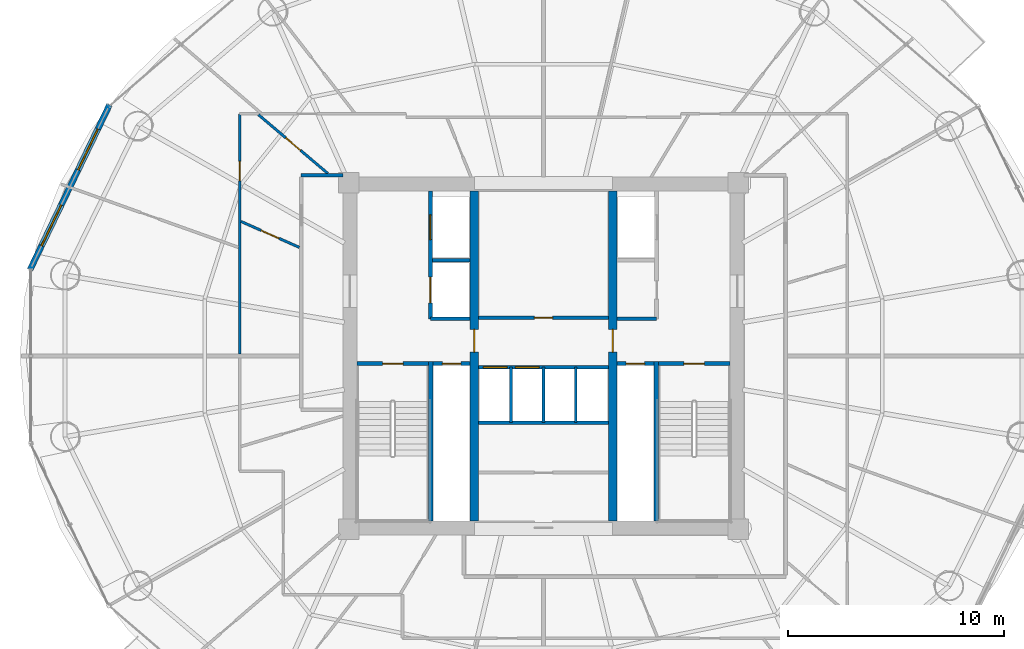
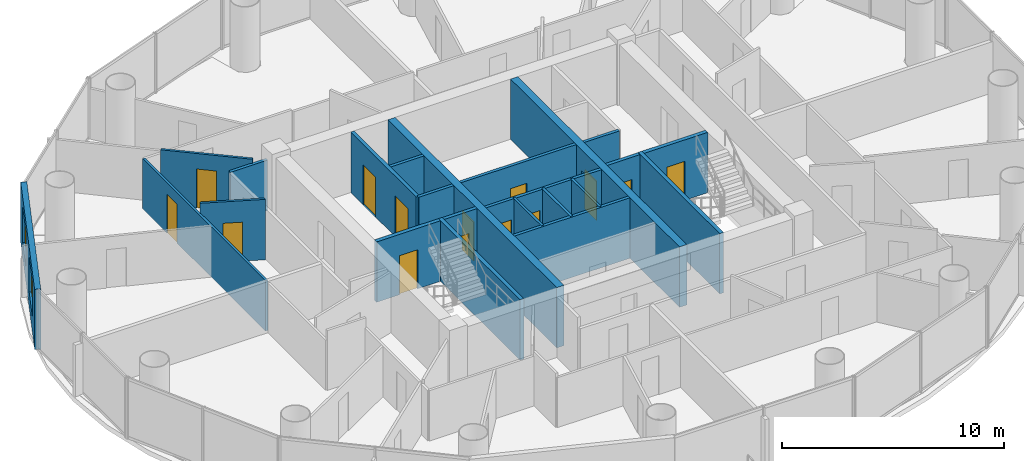
# One storey, part 22 of 27: 23 walls, 14 doors, 2 windows, 16 openings.
"""IFC4 building model written with IfcOpenShell, lengths in metres."""

from ifc_helpers import new_model, si_unit, direction, frame, frame_2d, origin, place, context, subcontext, project, spatial, rectangle, extrude, source, transform, mapped, material, layer, layer_set, type_object, element, fill, save


model = new_model("IFC4")

# Units and contexts
model_context = context("Model", 3, precision=1e-05, world=origin(), true_north=direction((-0.2419218956, 0.970295726276)))
body_context = subcontext(model_context, "Body", "Model", "MODEL_VIEW")
ifc_project = project(units=[si_unit("LENGTHUNIT", "METRE"), si_unit("AREAUNIT", "SQUARE_METRE"), si_unit("VOLUMEUNIT", "CUBIC_METRE"), si_unit("PLANEANGLEUNIT", "RADIAN"), si_unit("MASSUNIT", "GRAM", prefix="KILO")], contexts=[model_context])

# Site, building, storey
site_placement = place(None, origin())
site = spatial("IfcSite", under=ifc_project, at=site_placement, CompositionType="ELEMENT")
building_placement = place(site_placement, origin())
building = spatial("IfcBuilding", under=site, at=building_placement, Name="Cobrevalo Terracotta Tower", CompositionType="ELEMENT")
storey_placement = place(building_placement, frame((0.0, 0.0, 157.0)))
storey = spatial("IfcBuildingStorey", under=building, at=storey_placement, Name="L41", CompositionType="ELEMENT", Elevation=157.0)

# Walls
ifc_material_1 = material(Name="Gypsum board on steel stud", Category="steel")
ifc_layer_1 = layer(ifc_material_1, 0.159912109375)
ifc_layer_set_1 = layer_set([ifc_layer_1], Name="Gypsum board on steel stud")
wall_type_1 = type_object("IfcWallType", Name="Fire-rated corridor acoustic partition wall 160 mm", PredefinedType="PARTITIONING", material=ifc_layer_set_1)
wall_1_placement = place(storey_placement, frame((32.860107421875, 31.219970703125, 0.0), z_axis=(0.0, 0.0, 1.0), x_axis=(1.0, 0.0, 0.0)))
element("IfcWall", 1, at=wall_1_placement, inside=storey, type_object=wall_type_1, Name="L41 interior partition IW-L41-FF1-M", PredefinedType="PARTITIONING", context=body_context, shape_type="SweptSolid", body=[
    extrude(rectangle(XDim=1.75, YDim=0.159912109375, at=frame_2d((0.875, 0.0))), origin(), (0.0, 0.0, 1.0), 3.330078125),
])
for number, where, z_axis, x_axis, name in (
    (2, (32.77001953125, 28.52001953125, 0.0), (0.0, 0.0, 1.0), (1.0, 0.0, 0.0), "L41 interior partition IW-L41-FF1-S"),
    (3, (41.389892578125, 28.52001953125, 0.0), (0.0, 0.0, 1.0), (1.0, 0.0, 0.0), "L41 interior partition IW-L41-FF2-S"),
):
    element("IfcWall", number, at=place(storey_placement, frame(where, z_axis=z_axis, x_axis=x_axis)), inside=storey, type_object=wall_type_1, Name=name, PredefinedType="PARTITIONING", context=body_context, shape_type="SweptSolid", body=[
        extrude(rectangle(XDim=1.840087890625, YDim=0.159912109375, at=frame_2d((0.919921875, 0.0))), origin(), (0.0, 0.0, 1.0), 3.330078125),
    ])

# Wall, opening, door
wall_2_placement = place(storey_placement, frame((34.989990234375, 28.56005859375, 0.0), z_axis=(0.0, 0.0, 1.0), x_axis=(1.0, 0.0, 0.0)))
wall_2 = element("IfcWall", 4, at=wall_2_placement, inside=storey, type_object=wall_type_1, Name="L41 interior partition IW-L41-LB-S", PredefinedType="PARTITIONING", context=body_context, shape_type="SweptSolid", body=[
    extrude(rectangle(XDim=6.02001953125, YDim=0.159912109375, at=frame_2d((3.010009765625, 0.0))), origin(), (0.0, 0.0, 1.0), 3.330078125),
])
opening_1_placement = place(wall_2_placement, frame((2.5849609375, 0.0, 0.0)))
opening_1 = element("IfcOpeningElement", 5, at=opening_1_placement, cuts=wall_2, Name="Opening ID-22", PredefinedType="OPENING", context=body_context, shape_type="SweptSolid", body=[
    extrude(rectangle(XDim=0.85009765625, YDim=2.10009765625, at=frame_2d((0.425048828125, 1.050048828125))), frame((0.0, 0.08984375, 0.0), z_axis=(0.0, -1.0, 0.0), x_axis=(1.0, 0.0, 0.0)), (0.0, 0.0, 1.0), 0.179931640625),
])
ifc_material_2 = material(Name="Powder-coated steel", Category="steel")
door_type_1 = type_object("IfcDoorType", Name="Riser shaft & meter closet fire access door 850x2100 EI 60", OperationType="NOTDEFINED", PredefinedType="DOOR", material=ifc_material_2)
shared_shape_1 = source(origin(), body_context, "Body", "SweptSolid", [
    extrude(rectangle(XDim=0.85009765625, YDim=2.10009765625, at=frame_2d((0.425048828125, 1.050048828125))), frame((0.0, 0.02490234375, 0.0), z_axis=(0.0, -1.0, 0.0), x_axis=(1.0, 0.0, 0.0)), (0.0, 0.0, 1.0), 0.050048828125),
])
door_1_placement = place(opening_1_placement, origin())
door_1 = element("IfcDoor", 6, at=door_1_placement, inside=storey, type_object=door_type_1, Name="L41 core service door Floor Electrical Switchroom", OperationType="SINGLE_SWING_LEFT", OverallHeight=2.10009765625, OverallWidth=0.85009765625, PredefinedType="DOOR", context=body_context, shape_type="MappedRepresentation", body=[
    mapped(shared_shape_1, transform((0.0, 0.0, 0.0), scale=1.0)),
])
fill(opening_1, door_1)

# Wall, openings, doors
wall_3_placement = place(storey_placement, frame((34.989990234375, 26.280029296875, 0.0), z_axis=(0.0, 0.0, 1.0), x_axis=(1.0, 0.0, 0.0)))
wall_3 = element("IfcWall", 7, at=wall_3_placement, inside=storey, type_object=wall_type_1, Name="L41 interior partition IW-L41-MB-N", PredefinedType="PARTITIONING", context=body_context, shape_type="SweptSolid", body=[
    extrude(rectangle(XDim=6.02001953125, YDim=0.159912109375, at=frame_2d((3.010009765625, 0.0))), origin(), (0.0, 0.0, 1.0), 3.330078125),
])
opening_2_placement = place(wall_3_placement, frame((0.22509765625, 0.0, 0.0)))
opening_2 = element("IfcOpeningElement", 8, at=opening_2_placement, cuts=wall_3, Name="Opening LD-01", PredefinedType="OPENING", context=body_context, shape_type="SweptSolid", body=[
    extrude(rectangle(XDim=1.10009765625, YDim=2.199951171875, at=frame_2d((0.550048828125, 1.10009765625))), frame((0.0, 0.08984375, 0.0), z_axis=(0.0, -1.0, 0.0), x_axis=(1.0, 0.0, 0.0)), (0.0, 0.0, 1.0), 0.179931640625),
])
opening_3_placement = place(wall_3_placement, frame((1.705078125, 0.0, 0.0)))
opening_3 = element("IfcOpeningElement", 9, at=opening_3_placement, cuts=wall_3, Name="Opening LD-01", PredefinedType="OPENING", context=body_context, shape_type="SweptSolid", body=[
    extrude(rectangle(XDim=1.10009765625, YDim=2.199951171875, at=frame_2d((0.550048828125, 1.10009765625))), frame((0.0, 0.08984375, 0.0), z_axis=(0.0, -1.0, 0.0), x_axis=(1.0, 0.0, 0.0)), (0.0, 0.0, 1.0), 0.179931640625),
])
ifc_material_3 = material(Name="Brushed stainless steel", Category="steel")
door_type_2 = type_object("IfcDoorType", Name="Passenger lift landing bi-parting sliding door 1100x2200 EI 90", OperationType="DOUBLE_DOOR_SLIDING", PredefinedType="DOOR", material=ifc_material_3)
shared_shape_2 = source(origin(), body_context, "Body", "SweptSolid", [
    extrude(rectangle(XDim=1.10009765625, YDim=2.199951171875, at=frame_2d((0.550048828125, 1.10009765625))), frame((0.0, 0.02490234375, 0.0), z_axis=(0.0, -1.0, 0.0), x_axis=(1.0, 0.0, 0.0)), (0.0, 0.0, 1.0), 0.050048828125),
])
door_2_placement = place(opening_2_placement, origin())
door_2 = element("IfcDoor", 10, at=door_2_placement, inside=storey, type_object=door_type_2, Name="L41 lift landing door PL-M1", OperationType="DOUBLE_DOOR_SLIDING", OverallHeight=2.199951171875, OverallWidth=1.10009765625, PredefinedType="DOOR", context=body_context, shape_type="MappedRepresentation", body=[
    mapped(shared_shape_2, transform((0.0, 0.0, 0.0), scale=1.0)),
])
fill(opening_2, door_2)
door_3_placement = place(opening_3_placement, origin())
door_3 = element("IfcDoor", 11, at=door_3_placement, inside=storey, type_object=door_type_2, Name="L41 lift landing door PL-M2", OperationType="DOUBLE_DOOR_SLIDING", OverallHeight=2.199951171875, OverallWidth=1.10009765625, PredefinedType="DOOR", context=body_context, shape_type="MappedRepresentation", body=[
    mapped(shared_shape_2, transform((0.0, 0.0, 0.0), scale=1.0)),
])
fill(opening_3, door_3)

# Walls
wall_4_placement = place(storey_placement, frame((34.989990234375, 23.719970703125, 0.0), z_axis=(0.0, 0.0, 1.0), x_axis=(1.0, 0.0, 0.0)))
element("IfcWall", 12, at=wall_4_placement, inside=storey, type_object=wall_type_1, Name="L41 interior partition IW-L41-MB-S", PredefinedType="PARTITIONING", context=body_context, shape_type="SweptSolid", body=[
    extrude(rectangle(XDim=6.02001953125, YDim=0.159912109375, at=frame_2d((3.010009765625, 0.0))), origin(), (0.0, 0.0, 1.0), 3.330078125),
])
wall_5_placement = place(storey_placement, frame((26.794921875, 35.155029296875, 0.0), z_axis=(0.0, 0.0, 1.0), x_axis=(1.0, 0.0, 0.0)))
element("IfcWall", 13, at=wall_5_placement, inside=storey, type_object=wall_type_1, Name="L41 interior partition IW-L41-COR-WN-CAP", PredefinedType="PARTITIONING", context=body_context, shape_type="SweptSolid", body=[
    extrude(rectangle(XDim=1.93017578125, YDim=0.159912109375, at=frame_2d((0.965087890625, 0.0))), origin(), (0.0, 0.0, 1.0), 2.77587890625),
])

# Wall, opening, door
ifc_layer_2 = layer(ifc_material_1, 0.179931640625)
ifc_layer_set_2 = layer_set([ifc_layer_2], Name="Gypsum board on steel stud")
wall_type_2 = type_object("IfcWallType", Name="Fire-rated shaft & lobby acoustic partition wall 180 mm", PredefinedType="PARTITIONING", material=ifc_layer_set_2)
wall_6_placement = place(storey_placement, frame((32.89990234375, 26.449951171875, 0.0), z_axis=(0.0, 0.0, 1.0), x_axis=(1.0, 0.0, 0.0)))
wall_6 = element("IfcWall", 14, at=wall_6_placement, inside=storey, type_object=wall_type_2, Name="L41 interior partition IW-L41-RSW-N", PredefinedType="PARTITIONING", context=body_context, shape_type="SweptSolid", body=[
    extrude(rectangle(XDim=1.710205078125, YDim=0.179931640625, at=frame_2d((0.85498046875, 0.0))), origin(), (0.0, 0.0, 1.0), 3.330078125),
])
opening_4_placement = place(wall_6_placement, frame((0.429931640625, 0.0, 0.0)))
opening_4 = element("IfcOpeningElement", 15, at=opening_4_placement, cuts=wall_6, Name="Opening ID-22", PredefinedType="OPENING", context=body_context, shape_type="SweptSolid", body=[
    extrude(rectangle(XDim=0.85009765625, YDim=2.10009765625, at=frame_2d((0.425048828125, 1.050048828125))), frame((0.0, 0.10009765625, 0.0), z_axis=(0.0, -1.0, 0.0), x_axis=(1.0, 0.0, 0.0)), (0.0, 0.0, 1.0), 0.199951171875),
])
door_4_placement = place(opening_4_placement, origin())
door_4 = element("IfcDoor", 16, at=door_4_placement, inside=storey, type_object=door_type_1, Name="L41 riser access door RSW", OperationType="SINGLE_SWING_LEFT", OverallHeight=2.10009765625, OverallWidth=0.85009765625, PredefinedType="DOOR", context=body_context, shape_type="MappedRepresentation", body=[
    mapped(shared_shape_1, transform((0.0, 0.0, 0.0), scale=1.0)),
])
fill(opening_4, door_4)

wall_7_placement = place(storey_placement, frame((41.389892578125, 26.449951171875, 0.0), z_axis=(0.0, 0.0, 1.0), x_axis=(1.0, 0.0, 0.0)))
wall_7 = element("IfcWall", 17, at=wall_7_placement, inside=storey, type_object=wall_type_2, Name="L41 interior partition IW-L41-RSE-N", PredefinedType="PARTITIONING", context=body_context, shape_type="SweptSolid", body=[
    extrude(rectangle(XDim=1.710205078125, YDim=0.179931640625, at=frame_2d((0.85498046875, 0.0))), origin(), (0.0, 0.0, 1.0), 3.330078125),
])
opening_5_placement = place(wall_7_placement, frame((0.429931640625, 0.0, 0.0)))
opening_5 = element("IfcOpeningElement", 18, at=opening_5_placement, cuts=wall_7, Name="Opening ID-22", PredefinedType="OPENING", context=body_context, shape_type="SweptSolid", body=[
    extrude(rectangle(XDim=0.85009765625, YDim=2.10009765625, at=frame_2d((0.425048828125, 1.050048828125))), frame((0.0, 0.10009765625, 0.0), z_axis=(0.0, -1.0, 0.0), x_axis=(1.0, 0.0, 0.0)), (0.0, 0.0, 1.0), 0.199951171875),
])
door_5_placement = place(opening_5_placement, origin())
door_5 = element("IfcDoor", 19, at=door_5_placement, inside=storey, type_object=door_type_1, Name="L41 riser access door RSE", OperationType="SINGLE_SWING_RIGHT", OverallHeight=2.10009765625, OverallWidth=0.85009765625, PredefinedType="DOOR", context=body_context, shape_type="MappedRepresentation", body=[
    mapped(shared_shape_1, transform((0.0, 0.0, 0.0), scale=1.0)),
])
fill(opening_5, door_5)

# Wall, openings, doors
wall_8_placement = place(storey_placement, frame((32.77001953125, 28.52001953125, 0.0), z_axis=(0.0, 0.0, 1.0), x_axis=(0.0, 1.0, 0.0)))
wall_8 = element("IfcWall", 20, at=wall_8_placement, inside=storey, type_object=wall_type_2, Name="L41 interior partition IW-L41-FF1-W", PredefinedType="PARTITIONING", context=body_context, shape_type="SweptSolid", body=[
    extrude(rectangle(XDim=5.905029296875, YDim=0.179931640625, at=frame_2d((2.95263671875, 0.0))), origin(), (0.0, 0.0, 1.0), 3.330078125),
])
opening_6_placement = place(wall_8_placement, frame((3.655029296875, 0.0, 0.0)))
opening_6 = element("IfcOpeningElement", 21, at=opening_6_placement, cuts=wall_8, Name="Opening LD-02", PredefinedType="OPENING", context=body_context, shape_type="SweptSolid", body=[
    extrude(rectangle(XDim=1.14990234375, YDim=2.199951171875, at=frame_2d((0.574951171875, 1.10009765625))), frame((0.0, 0.10009765625, 0.0), z_axis=(0.0, -1.0, 0.0), x_axis=(1.0, 0.0, 0.0)), (0.0, 0.0, 1.0), 0.199951171875),
])
opening_7_placement = place(wall_8_placement, frame((0.72998046875, 0.0, 0.0)))
opening_7 = element("IfcOpeningElement", 22, at=opening_7_placement, cuts=wall_8, Name="Opening LD-03", PredefinedType="OPENING", context=body_context, shape_type="SweptSolid", body=[
    extrude(rectangle(XDim=1.199951171875, YDim=2.25, at=frame_2d((0.60009765625, 1.125))), frame((0.0, 0.10009765625, 0.0), z_axis=(0.0, -1.0, 0.0), x_axis=(1.0, 0.0, 0.0)), (0.0, 0.0, 1.0), 0.199951171875),
])
door_type_3 = type_object("IfcDoorType", Name="Firefighting lift landing bi-parting sliding door 1150x2200 EI 120", OperationType="DOUBLE_DOOR_SLIDING", PredefinedType="DOOR", material=ifc_material_3)
shared_shape_3 = source(origin(), body_context, "Body", "SweptSolid", [
    extrude(rectangle(XDim=1.14990234375, YDim=2.199951171875, at=frame_2d((0.574951171875, 1.10009765625))), frame((0.0, 0.02490234375, 0.0), z_axis=(0.0, -1.0, 0.0), x_axis=(1.0, 0.0, 0.0)), (0.0, 0.0, 1.0), 0.050048828125),
])
door_6_placement = place(opening_6_placement, origin())
door_6 = element("IfcDoor", 23, at=door_6_placement, inside=storey, type_object=door_type_3, Name="L41 lift landing door FF-1", OperationType="DOUBLE_DOOR_SLIDING", OverallHeight=2.199951171875, OverallWidth=1.14990234375, PredefinedType="DOOR", context=body_context, shape_type="MappedRepresentation", body=[
    mapped(shared_shape_3, transform((0.0, 0.0, 0.0), scale=1.0)),
])
fill(opening_6, door_6)
door_type_4 = type_object("IfcDoorType", Name="Service lift landing bi-parting sliding door 1200x2250 EI 120", OperationType="DOUBLE_DOOR_SLIDING", PredefinedType="DOOR", material=ifc_material_3)
shared_shape_4 = source(origin(), body_context, "Body", "SweptSolid", [
    extrude(rectangle(XDim=1.199951171875, YDim=2.25, at=frame_2d((0.60009765625, 1.125))), frame((0.0, 0.02490234375, 0.0), z_axis=(0.0, -1.0, 0.0), x_axis=(1.0, 0.0, 0.0)), (0.0, 0.0, 1.0), 0.050048828125),
])
door_7_placement = place(opening_7_placement, origin())
door_7 = element("IfcDoor", 24, at=door_7_placement, inside=storey, type_object=door_type_4, Name="L41 lift landing door SV-1", OperationType="DOUBLE_DOOR_SLIDING", OverallHeight=2.25, OverallWidth=1.199951171875, PredefinedType="DOOR", context=body_context, shape_type="MappedRepresentation", body=[
    mapped(shared_shape_4, transform((0.0, 0.0, 0.0), scale=1.0)),
])
fill(opening_7, door_7)

# Walls
ifc_material_4 = material(Name="Autoclaved aerated concrete block", Category="concrete")
ifc_layer_3 = layer(ifc_material_4, 0.1201171875)
ifc_layer_set_3 = layer_set([ifc_layer_3], Name="Autoclaved aerated concrete block")
wall_type_3 = type_object("IfcWallType", Name="Fire-rated wet-room & core service partition 120 mm", PredefinedType="PARTITIONING", material=ifc_layer_set_3)
for number, where, z_axis, x_axis, name in (
    (25, (36.5, 23.719970703125, 0.0), (0.0, 0.0, 1.0), (0.0, 1.0, 0.0), "L41 interior partition IW-L41-MB-D1"),
    (26, (39.5, 23.719970703125, 0.0), (0.0, 0.0, 1.0), (0.0, 1.0, 0.0), "L41 interior partition IW-L41-MB-D3"),
):
    element("IfcWall", number, at=place(storey_placement, frame(where, z_axis=z_axis, x_axis=x_axis)), inside=storey, type_object=wall_type_3, Name=name, PredefinedType="PARTITIONING", context=body_context, shape_type="SweptSolid", body=[
        extrude(rectangle(XDim=2.56005859375, YDim=0.1201171875, at=frame_2d((1.280029296875, 0.0))), origin(), (0.0, 0.0, 1.0), 3.330078125),
    ])

# Wall, openings, windows
ifc_layer_4 = layer(ifc_material_4, 0.280029296875)
ifc_layer_set_4 = layer_set([ifc_layer_4], Name="Autoclaved aerated concrete block")
wall_type_4 = type_object("IfcWallType", Name="Insulated tower spandrel & pier wall 280 mm with terracotta rainscreen", PredefinedType="SOLIDWALL", material=ifc_layer_set_4)
wall_9_placement = place(storey_placement, frame((17.938232421875, 38.411376953125, 0.0), z_axis=(0.0, 0.0, 1.0), x_axis=(-0.434209827226, -0.900811759437, 0.0)))
wall_9 = element("IfcWall", 27, at=wall_9_placement, inside=storey, type_object=wall_type_4, Name="L41 terracotta rainscreen pier wall S07", PredefinedType="SOLIDWALL", context=body_context, shape_type="SweptSolid", body=[
    extrude(rectangle(XDim=8.4716796875, YDim=0.280029296875, at=frame_2d((4.23583984375, 0.0))), origin(), (0.0, 0.0, 1.0), 3.330078125),
])
opening_8_placement = place(wall_9_placement, frame((1.2373046875, 0.0, 0.85009765625)))
opening_8 = element("IfcOpeningElement", 28, at=opening_8_placement, cuts=wall_9, Name="Opening WN-10", PredefinedType="OPENING", context=body_context, shape_type="SweptSolid", body=[
    extrude(rectangle(XDim=2.10009765625, YDim=1.949951171875, at=frame_2d((1.050048828125, 0.97509765625))), frame((0.0, 0.14990234375, 0.0), z_axis=(0.0, -1.0, 0.0), x_axis=(1.0, 0.0, 0.0)), (0.0, 0.0, 1.0), 0.300048828125),
])
opening_9_placement = place(wall_9_placement, frame((5.13427734375, 0.0, 0.85009765625)))
opening_9 = element("IfcOpeningElement", 29, at=opening_9_placement, cuts=wall_9, Name="Opening WN-10", PredefinedType="OPENING", context=body_context, shape_type="SweptSolid", body=[
    extrude(rectangle(XDim=2.10009765625, YDim=1.949951171875, at=frame_2d((1.050048828125, 0.97509765625))), frame((0.0, 0.14990234375, 0.0), z_axis=(0.0, -1.0, 0.0), x_axis=(1.0, 0.0, 0.0)), (0.0, 0.0, 1.0), 0.300048828125),
])
ifc_material_5 = material(Name="Solar-control low-E double glazing", Category="glass")
window_type = type_object("IfcWindowType", Name="Wide panoramic low-E aluminium window 2100x1950", PartitioningType="SINGLE_PANEL", PredefinedType="WINDOW", material=ifc_material_5)
shared_shape_5 = source(origin(), body_context, "Body", "SweptSolid", [
    extrude(rectangle(XDim=2.10009765625, YDim=1.949951171875, at=frame_2d((1.050048828125, 0.97509765625))), frame((0.0, 0.030029296875, 0.0), z_axis=(0.0, -1.0, 0.0), x_axis=(1.0, 0.0, 0.0)), (0.0, 0.0, 1.0), 0.06005859375),
])
window_1_placement = place(opening_8_placement, origin())
window_1 = element("IfcWindow", 30, at=window_1_placement, inside=storey, type_object=window_type, Name="L41 suite window S07A", OverallHeight=1.949951171875, OverallWidth=2.10009765625, PartitioningType="SINGLE_PANEL", PredefinedType="WINDOW", context=body_context, shape_type="MappedRepresentation", body=[
    mapped(shared_shape_5, transform((0.0, 0.0, 0.0), scale=1.0)),
])
fill(opening_8, window_1)
window_2_placement = place(opening_9_placement, origin())
window_2 = element("IfcWindow", 31, at=window_2_placement, inside=storey, type_object=window_type, Name="L41 suite window S07B", OverallHeight=1.949951171875, OverallWidth=2.10009765625, PartitioningType="SINGLE_PANEL", PredefinedType="WINDOW", context=body_context, shape_type="MappedRepresentation", body=[
    mapped(shared_shape_5, transform((0.0, 0.0, 0.0), scale=1.0)),
])
fill(opening_9, window_2)

# Wall, opening, door
ifc_material_6 = material(Name="Concrete C50", Category="concrete")
ifc_layer_5 = layer(ifc_material_6, 0.3798828125)
ifc_layer_set_5 = layer_set([ifc_layer_5], Name="Concrete C50")
wall_type_5 = type_object("IfcWallType", Name="Internal core shear web wall 380 mm Concrete C50", PredefinedType="SHEAR", material=ifc_layer_set_5)
wall_10_placement = place(storey_placement, frame((34.800048828125, 19.175048828125, 0.0), z_axis=(0.0, 0.0, 1.0), x_axis=(0.0, 1.0, 0.0)))
wall_10 = element("IfcWall", 32, at=wall_10_placement, inside=storey, type_object=wall_type_5, Name="L41 internal core shear wall WEB-W", PredefinedType="SHEAR", context=body_context, shape_type="SweptSolid", body=[
    extrude(rectangle(XDim=15.25, YDim=0.3798828125, at=frame_2d((7.625, 0.0))), origin(), (0.0, 0.0, 1.0), 3.330078125),
])
opening_10_placement = place(wall_10_placement, frame((7.800048828125, 0.0, 0.0)))
opening_10 = element("IfcOpeningElement", 33, at=opening_10_placement, cuts=wall_10, Name="Opening ID-11", PredefinedType="OPENING", context=body_context, shape_type="SweptSolid", body=[
    extrude(rectangle(XDim=1.050048828125, YDim=2.14990234375, at=frame_2d((0.52490234375, 1.074951171875))), frame((0.0, 0.199951171875, 0.0), z_axis=(0.0, -1.0, 0.0), x_axis=(1.0, 0.0, 0.0)), (0.0, 0.0, 1.0), 0.39990234375),
])
ifc_material_7 = material(Name="Galvanized fire-rated steel", Category="steel")
door_type_5 = type_object("IfcDoorType", Name="Core concourse cross fire door 1050x2150 EI 90", OperationType="NOTDEFINED", PredefinedType="DOOR", material=ifc_material_7)
shared_shape_6 = source(origin(), body_context, "Body", "SweptSolid", [
    extrude(rectangle(XDim=1.050048828125, YDim=2.14990234375, at=frame_2d((0.52490234375, 1.074951171875))), frame((0.0, 0.02490234375, 0.0), z_axis=(0.0, -1.0, 0.0), x_axis=(1.0, 0.0, 0.0)), (0.0, 0.0, 1.0), 0.050048828125),
])
door_8_placement = place(opening_10_placement, origin())
door_8 = element("IfcDoor", 34, at=door_8_placement, inside=storey, type_object=door_type_5, Name="L41 west core concourse cross door", OperationType="SINGLE_SWING_LEFT", OverallHeight=2.14990234375, OverallWidth=1.050048828125, PredefinedType="DOOR", context=body_context, shape_type="MappedRepresentation", body=[
    mapped(shared_shape_6, transform((0.0, 0.0, 0.0), scale=1.0)),
])
fill(opening_10, door_8)

wall_11_placement = place(storey_placement, frame((41.199951171875, 19.175048828125, 0.0), z_axis=(0.0, 0.0, 1.0), x_axis=(0.0, 1.0, 0.0)))
wall_11 = element("IfcWall", 35, at=wall_11_placement, inside=storey, type_object=wall_type_5, Name="L41 internal core shear wall WEB-E", PredefinedType="SHEAR", context=body_context, shape_type="SweptSolid", body=[
    extrude(rectangle(XDim=15.25, YDim=0.3798828125, at=frame_2d((7.625, 0.0))), origin(), (0.0, 0.0, 1.0), 3.330078125),
])
opening_11_placement = place(wall_11_placement, frame((7.800048828125, 0.0, 0.0)))
opening_11 = element("IfcOpeningElement", 36, at=opening_11_placement, cuts=wall_11, Name="Opening ID-11", PredefinedType="OPENING", context=body_context, shape_type="SweptSolid", body=[
    extrude(rectangle(XDim=1.050048828125, YDim=2.14990234375, at=frame_2d((0.52490234375, 1.074951171875))), frame((0.0, 0.199951171875, 0.0), z_axis=(0.0, -1.0, 0.0), x_axis=(1.0, 0.0, 0.0)), (0.0, 0.0, 1.0), 0.39990234375),
])
door_9_placement = place(opening_11_placement, frame((1.050048828125, 0.0, 0.0), z_axis=(0.0, 0.0, 1.0), x_axis=(-1.0, 0.0, 0.0)))
door_9 = element("IfcDoor", 37, at=door_9_placement, inside=storey, type_object=door_type_5, Name="L41 east core concourse cross door", OperationType="SINGLE_SWING_RIGHT", OverallHeight=2.14990234375, OverallWidth=1.050048828125, PredefinedType="DOOR", context=body_context, shape_type="MappedRepresentation", body=[
    mapped(shared_shape_6, transform((0.0, 0.0, 0.0), scale=1.0)),
])
fill(opening_11, door_9)

# Wall
ifc_layer_6 = layer(ifc_material_4, 0.139892578125)
ifc_layer_set_6 = layer_set([ifc_layer_6], Name="Autoclaved aerated concrete block")
wall_type_6 = type_object("IfcWallType", Name="Moisture-resistant wet-room & core service partition 140 mm", PredefinedType="PARTITIONING", material=ifc_layer_set_6)
wall_12_placement = place(storey_placement, frame((38.0, 23.719970703125, 0.0), z_axis=(0.0, 0.0, 1.0), x_axis=(0.0, 1.0, 0.0)))
element("IfcWall", 38, at=wall_12_placement, inside=storey, type_object=wall_type_6, Name="L41 interior partition IW-L41-MB-D2", PredefinedType="PARTITIONING", context=body_context, shape_type="SweptSolid", body=[
    extrude(rectangle(XDim=2.56005859375, YDim=0.139892578125, at=frame_2d((1.280029296875, 0.0))), origin(), (0.0, 0.0, 1.0), 3.330078125),
])

# Wall, opening, door
ifc_layer_7 = layer(ifc_material_1, 0.1201171875)
ifc_layer_set_7 = layer_set([ifc_layer_7], Name="Gypsum board on steel stud")
wall_type_7 = type_object("IfcWallType", Name="Residential internal acoustic stud partition 120 mm", PredefinedType="PARTITIONING", material=ifc_layer_set_7)
wall_13_placement = place(storey_placement, frame((23.955078125, 26.902099609375, 0.0), z_axis=(0.0, 0.0, 1.0), x_axis=(0.0, 1.0, 0.0)))
wall_13 = element("IfcWall", 39, at=wall_13_placement, inside=storey, type_object=wall_type_7, Name="L41 interior partition IW-L41-U2-RING0_0", PredefinedType="PARTITIONING", context=body_context, shape_type="SweptSolid", body=[
    extrude(rectangle(XDim=11.093017578125, YDim=0.1201171875, at=frame_2d((5.54638671875, 0.0))), origin(), (0.0, 0.0, 1.0), 2.77587890625),
])
opening_12_placement = place(wall_13_placement, frame((7.99658203125, 0.0, 0.0)))
opening_12 = element("IfcOpeningElement", 40, at=opening_12_placement, cuts=wall_13, Name="Opening ID-12", PredefinedType="OPENING", context=body_context, shape_type="SweptSolid", body=[
    extrude(rectangle(XDim=0.89990234375, YDim=2.14990234375, at=frame_2d((0.449951171875, 1.074951171875))), frame((0.0, 0.070068359375, 0.0), z_axis=(0.0, -1.0, 0.0), x_axis=(1.0, 0.0, 0.0)), (0.0, 0.0, 1.0), 0.14013671875),
])
ifc_material_8 = material(Name="Engineered timber", Category="wood")
door_type_6 = type_object("IfcDoorType", Name="Internal residence & suite timber door 900x2150", OperationType="NOTDEFINED", PredefinedType="DOOR", material=ifc_material_8)
shared_shape_7 = source(origin(), body_context, "Body", "SweptSolid", [
    extrude(rectangle(XDim=0.89990234375, YDim=2.14990234375, at=frame_2d((0.449951171875, 1.074951171875))), frame((0.0, 0.02490234375, 0.0), z_axis=(0.0, -1.0, 0.0), x_axis=(1.0, 0.0, 0.0)), (0.0, 0.0, 1.0), 0.050048828125),
])
door_10_placement = place(opening_12_placement, origin())
door_10 = element("IfcDoor", 41, at=door_10_placement, inside=storey, type_object=door_type_6, Name="Flat L41B Principal Guest Bedroom internal door", OperationType="SINGLE_SWING_RIGHT", OverallHeight=2.14990234375, OverallWidth=0.89990234375, PredefinedType="DOOR", context=body_context, shape_type="MappedRepresentation", body=[
    mapped(shared_shape_7, transform((0.0, 0.0, 0.0), scale=1.0)),
])
fill(opening_12, door_10)

wall_14_placement = place(storey_placement, frame((28.032470703125, 35.236328125, 0.0), z_axis=(0.0, 0.0, 1.0), x_axis=(-0.763324664245, 0.646015059388, 0.0)))
wall_14 = element("IfcWall", 42, at=wall_14_placement, inside=storey, type_object=wall_type_7, Name="L41 interior partition IW-L41-U2-IRAD2", PredefinedType="PARTITIONING", context=body_context, shape_type="SweptSolid", body=[
    extrude(rectangle(XDim=4.2080078125, YDim=0.1201171875, at=frame_2d((2.10400390625, 0.0))), origin(), (0.0, 0.0, 1.0), 3.0048828125),
])
opening_13_placement = place(wall_14_placement, frame((1.654052734375, 0.0, 0.0)))
opening_13 = element("IfcOpeningElement", 43, at=opening_13_placement, cuts=wall_14, Name="Opening ID-12", PredefinedType="OPENING", context=body_context, shape_type="SweptSolid", body=[
    extrude(rectangle(XDim=0.89990234375, YDim=2.14990234375, at=frame_2d((0.449951171875, 1.074951171875))), frame((0.0, 0.070068359375, 0.0), z_axis=(0.0, -1.0, 0.0), x_axis=(1.0, 0.0, 0.0)), (0.0, 0.0, 1.0), 0.14013671875),
])
door_11_placement = place(opening_13_placement, frame((0.89990234375, 0.0, 0.0), z_axis=(0.0, 0.0, 1.0), x_axis=(-1.0, 0.0, 0.0)))
door_11 = element("IfcDoor", 44, at=door_11_placement, inside=storey, type_object=door_type_6, Name="Flat L41B Reception Hallway internal door", OperationType="SINGLE_SWING_LEFT", OverallHeight=2.14990234375, OverallWidth=0.89990234375, PredefinedType="DOOR", context=body_context, shape_type="MappedRepresentation", body=[
    mapped(shared_shape_7, transform((0.0, 0.0, 0.0), scale=1.0)),
])
fill(opening_13, door_11)

wall_15_placement = place(storey_placement, frame((26.715087890625, 31.817626953125, 0.0), z_axis=(0.0, 0.0, 1.0), x_axis=(-0.91376049718, 0.406253312347, 0.0)))
wall_15 = element("IfcWall", 45, at=wall_15_placement, inside=storey, type_object=wall_type_7, Name="L41 interior partition IW-L41-U2-IRAD3", PredefinedType="PARTITIONING", context=body_context, shape_type="SweptSolid", body=[
    extrude(rectangle(XDim=2.95849609375, YDim=0.1201171875, at=frame_2d((1.479248046875, 0.0))), origin(), (0.0, 0.0, 1.0), 3.330078125),
])
opening_14_placement = place(wall_15_placement, frame((1.029296875, 0.0, 0.0)))
opening_14 = element("IfcOpeningElement", 46, at=opening_14_placement, cuts=wall_15, Name="Opening ID-12", PredefinedType="OPENING", context=body_context, shape_type="SweptSolid", body=[
    extrude(rectangle(XDim=0.89990234375, YDim=2.14990234375, at=frame_2d((0.449951171875, 1.074951171875))), frame((0.0, 0.070068359375, 0.0), z_axis=(0.0, -1.0, 0.0), x_axis=(1.0, 0.0, 0.0)), (0.0, 0.0, 1.0), 0.14013671875),
])
door_12_placement = place(opening_14_placement, origin())
door_12 = element("IfcDoor", 47, at=door_12_placement, inside=storey, type_object=door_type_6, Name="Flat L41B Private Library Meeting Room internal door", OperationType="SINGLE_SWING_RIGHT", OverallHeight=2.14990234375, OverallWidth=0.89990234375, PredefinedType="DOOR", context=body_context, shape_type="MappedRepresentation", body=[
    mapped(shared_shape_7, transform((0.0, 0.0, 0.0), scale=1.0)),
])
fill(opening_14, door_12)

# Wall
ifc_layer_8 = layer(ifc_material_6, 0.199951171875)
ifc_layer_set_8 = layer_set([ifc_layer_8], Name="Concrete C50")
wall_type_8 = type_object("IfcWallType", Name="Structural core & podium stair-shaft RC wall 200 mm Concrete C50", PredefinedType="SOLIDWALL", material=ifc_layer_set_8)
wall_16_placement = place(storey_placement, frame((32.794921875, 19.175048828125, 0.0), z_axis=(0.0, 0.0, 1.0), x_axis=(0.0, 1.0, 0.0)))
element("IfcWall", 48, at=wall_16_placement, inside=storey, type_object=wall_type_8, Name="L41 ST-1 east structural shaft wall", PredefinedType="SOLIDWALL", context=body_context, shape_type="SweptSolid", body=[
    extrude(rectangle(XDim=7.375, YDim=0.199951171875, at=frame_2d((3.6875, 0.0))), origin(), (0.0, 0.0, 1.0), 3.330078125),
])

# Wall, opening, door
wall_17_placement = place(storey_placement, frame((29.375, 26.449951171875, 0.0), z_axis=(0.0, 0.0, 1.0), x_axis=(1.0, 0.0, 0.0)))
wall_17 = element("IfcWall", 49, at=wall_17_placement, inside=storey, type_object=wall_type_8, Name="L41 ST-1 north structural shaft wall", PredefinedType="SOLIDWALL", context=body_context, shape_type="SweptSolid", body=[
    extrude(rectangle(XDim=3.320068359375, YDim=0.199951171875, at=frame_2d((1.66015625, 0.0))), origin(), (0.0, 0.0, 1.0), 3.330078125),
])
opening_15_placement = place(wall_17_placement, frame((1.18505859375, 0.0, 0.0)))
opening_15 = element("IfcOpeningElement", 50, at=opening_15_placement, cuts=wall_17, Name="Opening ID-04", PredefinedType="OPENING", context=body_context, shape_type="SweptSolid", body=[
    extrude(rectangle(XDim=0.949951171875, YDim=2.14990234375, at=frame_2d((0.47509765625, 1.074951171875))), frame((0.0, 0.10986328125, 0.0), z_axis=(0.0, -1.0, 0.0), x_axis=(1.0, 0.0, 0.0)), (0.0, 0.0, 1.0), 0.219970703125),
])
door_type_7 = type_object("IfcDoorType", Name="Stair & firefighting lobby fire door 950x2150 EI 90", OperationType="NOTDEFINED", PredefinedType="DOOR", material=ifc_material_7)
shared_shape_8 = source(origin(), body_context, "Body", "SweptSolid", [
    extrude(rectangle(XDim=0.949951171875, YDim=2.14990234375, at=frame_2d((0.47509765625, 1.074951171875))), frame((0.0, 0.02490234375, 0.0), z_axis=(0.0, -1.0, 0.0), x_axis=(1.0, 0.0, 0.0)), (0.0, 0.0, 1.0), 0.050048828125),
])
door_13_placement = place(opening_15_placement, origin())
door_13 = element("IfcDoor", 51, at=door_13_placement, inside=storey, type_object=door_type_7, Name="L41 protected stair ST1 fire door", OperationType="SINGLE_SWING_LEFT", OverallHeight=2.14990234375, OverallWidth=0.949951171875, PredefinedType="DOOR", context=body_context, shape_type="MappedRepresentation", body=[
    mapped(shared_shape_8, transform((0.0, 0.0, 0.0), scale=1.0)),
])
fill(opening_15, door_13)

# Wall
wall_18_placement = place(storey_placement, frame((43.205078125, 19.175048828125, 0.0), z_axis=(0.0, 0.0, 1.0), x_axis=(0.0, 1.0, 0.0)))
element("IfcWall", 52, at=wall_18_placement, inside=storey, type_object=wall_type_8, Name="L41 ST-2 west structural shaft wall", PredefinedType="SOLIDWALL", context=body_context, shape_type="SweptSolid", body=[
    extrude(rectangle(XDim=7.375, YDim=0.199951171875, at=frame_2d((3.6875, 0.0))), origin(), (0.0, 0.0, 1.0), 3.330078125),
])

# Wall, opening, door
wall_19_placement = place(storey_placement, frame((43.304931640625, 26.449951171875, 0.0), z_axis=(0.0, 0.0, 1.0), x_axis=(1.0, 0.0, 0.0)))
wall_19 = element("IfcWall", 53, at=wall_19_placement, inside=storey, type_object=wall_type_8, Name="L41 ST-2 north structural shaft wall", PredefinedType="SOLIDWALL", context=body_context, shape_type="SweptSolid", body=[
    extrude(rectangle(XDim=3.320068359375, YDim=0.199951171875, at=frame_2d((1.66015625, 0.0))), origin(), (0.0, 0.0, 1.0), 3.330078125),
])
opening_16_placement = place(wall_19_placement, frame((1.18505859375, 0.0, 0.0)))
opening_16 = element("IfcOpeningElement", 54, at=opening_16_placement, cuts=wall_19, Name="Opening ID-04", PredefinedType="OPENING", context=body_context, shape_type="SweptSolid", body=[
    extrude(rectangle(XDim=0.949951171875, YDim=2.14990234375, at=frame_2d((0.47509765625, 1.074951171875))), frame((0.0, 0.10986328125, 0.0), z_axis=(0.0, -1.0, 0.0), x_axis=(1.0, 0.0, 0.0)), (0.0, 0.0, 1.0), 0.219970703125),
])
door_14_placement = place(opening_16_placement, frame((0.949951171875, 0.0, 0.0), z_axis=(0.0, 0.0, 1.0), x_axis=(-1.0, 0.0, 0.0)))
door_14 = element("IfcDoor", 55, at=door_14_placement, inside=storey, type_object=door_type_7, Name="L41 protected stair ST2 fire door", OperationType="SINGLE_SWING_RIGHT", OverallHeight=2.14990234375, OverallWidth=0.949951171875, PredefinedType="DOOR", context=body_context, shape_type="MappedRepresentation", body=[
    mapped(shared_shape_8, transform((0.0, 0.0, 0.0), scale=1.0)),
])
fill(opening_16, door_14)

save(model, "model.ifc")
